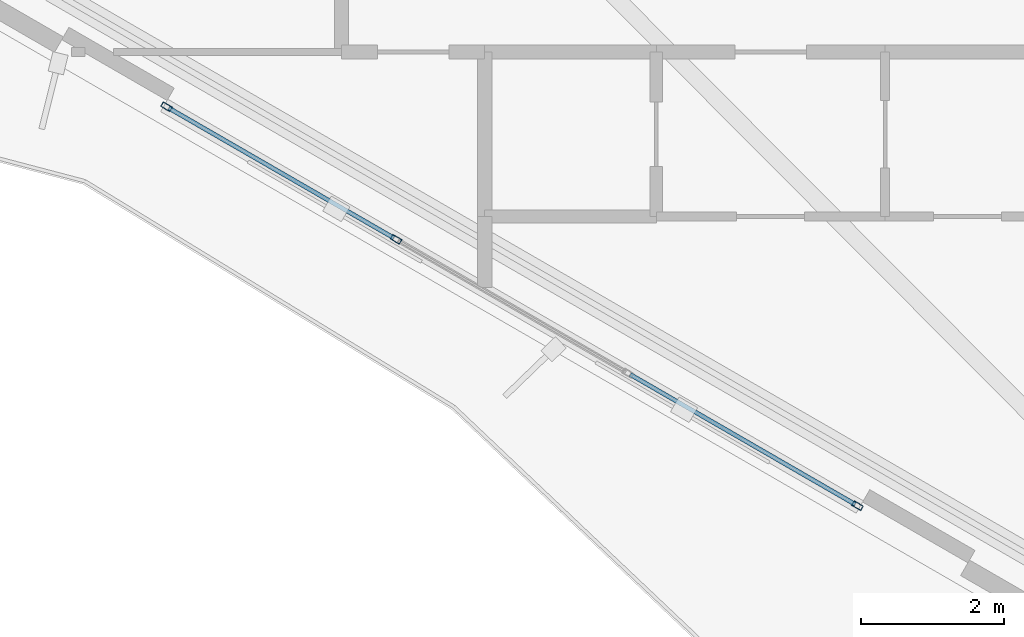
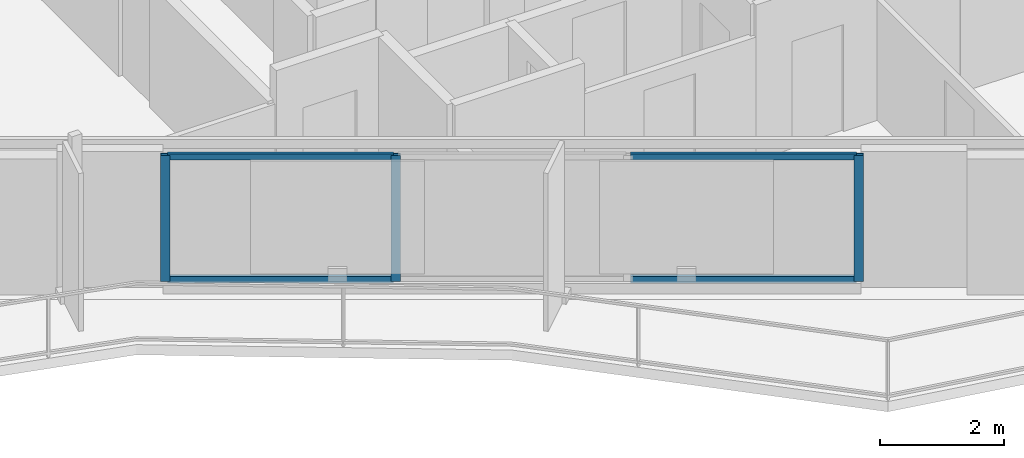
# One storey, part 2 of 22: 7 members, 1 element without a shape of its own.
"""IFC4 building model written with IfcOpenShell, lengths in metres."""

from ifc_helpers import new_model, si_unit, direction, frame, origin, origin_2d, place, context, subcontext, project, spatial, hollow_rectangle, extrude, material, layer, layer_set, material_profile, profile_set, type_object, element, aggregate, save


model = new_model("IFC4")

# Units and contexts
model_context = context("Model", 3, precision=1e-05, world=origin(), true_north=direction((0.0, 1.0)))
body_context = subcontext(model_context, "Body", "Model", "MODEL_VIEW")
ifc_project = project(units=[si_unit("LENGTHUNIT", "METRE"), si_unit("AREAUNIT", "SQUARE_METRE"), si_unit("VOLUMEUNIT", "CUBIC_METRE"), si_unit("PLANEANGLEUNIT", "RADIAN"), si_unit("MASSUNIT", "GRAM", prefix="KILO")], contexts=[model_context])

# Site, building, storey
site_placement = place(None, origin())
site = spatial("IfcSite", under=ifc_project, at=site_placement, CompositionType="ELEMENT")
building_placement = place(site_placement, origin())
building = spatial("IfcBuilding", under=site, at=building_placement, Name="Mersakhor Tower and Convention Hall", CompositionType="ELEMENT")
storey_placement = place(building_placement, frame((0.0, 0.0, 109.800048828125)))
storey = spatial("IfcBuildingStorey", under=building, at=storey_placement, Name="L30", CompositionType="ELEMENT", Elevation=109.800048828125)

# Curtain wall, members
ifc_material_1 = material(Name="Dark solar low-E aluminium curtain wall", Category="aluminium")
ifc_layer = layer(ifc_material_1, 0.159912109375)
ifc_layer_set = layer_set([ifc_layer], Name="Dark solar low-E aluminium curtain wall")
curtain_wall_type = type_object("IfcCurtainWallType", Name="CW-SYS-01", PredefinedType="USERDEFINED", material=ifc_layer_set)
curtain_wall_placement = place(storey_placement, origin())
curtain_wall = element("IfcCurtainWall", 1, at=curtain_wall_placement, inside=storey, type_object=curtain_wall_type, Name="L30 Dark-Glass Curtain Wall F3-B2", ObjectType="CURTAIN WALL", PredefinedType="USERDEFINED")
ifc_material_2 = material(Name="Anodised aluminium EN AW-6063 T6", Category="aluminium")
ifc_material_profile_1 = material_profile(ifc_material_2, hollow_rectangle(XDim=0.074951171875, YDim=0.14990234375, WallThickness=0.00634765625, at=origin_2d()), Name="RHS 150x75x6.3")
ifc_profile_set_1 = profile_set([ifc_material_profile_1], Name="Anodised aluminium EN AW-6063 T6")
member_type_1 = type_object("IfcMemberType", Name="CWM-150x75", PredefinedType="MULLION", material=ifc_profile_set_1)
member_1_placement = place(storey_placement, frame((26.812744140625, 11.80712890625, 0.199951171875), z_axis=(0.0, 0.0, 1.0), x_axis=(-0.499997904985, -0.866026613339, 0.0)))
member_1 = element("IfcMember", 2, at=member_1_placement, type_object=member_type_1, Name="CW-01 mullion 1", PredefinedType="MULLION", context=body_context, shape_type="SweptSolid", body=[
    extrude(hollow_rectangle(XDim=0.074951171875, YDim=0.14990234375, WallThickness=0.00634765625, at=origin_2d()), origin(), (0.0, 0.0, 1.0), 2.469970703125),
])
member_2_placement = place(storey_placement, frame((20.36181640625, 15.531494140625, 0.199951171875), z_axis=(0.0, 0.0, 1.0), x_axis=(-0.499997904985, -0.866026613339, 0.0)))
member_2 = element("IfcMember", 3, at=member_2_placement, type_object=member_type_1, Name="CW-01 mullion 3", PredefinedType="MULLION", context=body_context, shape_type="SweptSolid", body=[
    extrude(hollow_rectangle(XDim=0.074951171875, YDim=0.14990234375, WallThickness=0.00634765625, at=origin_2d()), origin(), (0.0, 0.0, 1.0), 2.469970703125),
])
member_3_placement = place(storey_placement, frame((17.152587890625, 17.38427734375, 0.199951171875), z_axis=(0.0, 0.0, 1.0), x_axis=(-0.499997904985, -0.866026613339, 0.0)))
member_3 = element("IfcMember", 4, at=member_3_placement, type_object=member_type_1, Name="CW-01 mullion 4", PredefinedType="MULLION", context=body_context, shape_type="SweptSolid", body=[
    extrude(hollow_rectangle(XDim=0.074951171875, YDim=0.14990234375, WallThickness=0.00634765625, at=origin_2d()), origin(), (0.0, 0.0, 1.0), 2.469970703125),
])
ifc_material_3 = material(Name="Anodised aluminium EN AW-6063 T6", Category="aluminium")
ifc_material_profile_2 = material_profile(ifc_material_3, hollow_rectangle(XDim=0.06005859375, YDim=0.1201171875, WallThickness=0.0048828125, at=origin_2d()), Name="RHS 120x60x5")
ifc_profile_set_2 = profile_set([ifc_material_profile_2], Name="Anodised aluminium EN AW-6063 T6")
member_type_2 = type_object("IfcMemberType", Name="CWT-120x60", PredefinedType="USERDEFINED", material=ifc_profile_set_2)
member_4_placement = place(storey_placement, frame((26.7802734375, 11.82568359375, 0.22998046875), z_axis=(-0.866016497289, 0.500015426185, 0.0), x_axis=(-0.500015426185, -0.866016497289, 0.0)))
member_4 = element("IfcMember", 5, at=member_4_placement, type_object=member_type_2, Name="CW-01 transom 1.1", ObjectType="TRANSOM", PredefinedType="USERDEFINED", context=body_context, shape_type="SweptSolid", body=[
    extrude(hollow_rectangle(XDim=0.06005859375, YDim=0.1201171875, WallThickness=0.0048828125, at=origin_2d()), origin(), (0.0, 0.0, 1.0), 3.630859375),
])
member_5_placement = place(storey_placement, frame((26.7802734375, 11.82568359375, 2.639892578125), z_axis=(-0.866016497289, 0.500015426185, 0.0), x_axis=(-0.500015426185, -0.866016497289, 0.0)))
member_5 = element("IfcMember", 6, at=member_5_placement, type_object=member_type_2, Name="CW-01 transom 1.2", ObjectType="TRANSOM", PredefinedType="USERDEFINED", context=body_context, shape_type="SweptSolid", body=[
    extrude(hollow_rectangle(XDim=0.06005859375, YDim=0.1201171875, WallThickness=0.0048828125, at=origin_2d()), origin(), (0.0, 0.0, 1.0), 3.630859375),
])
member_6_placement = place(storey_placement, frame((20.329345703125, 15.55029296875, 0.22998046875), z_axis=(-0.866045614266, 0.499964992784, 0.0), x_axis=(-0.499964992784, -0.866045614266, 0.0)))
member_6 = element("IfcMember", 7, at=member_6_placement, type_object=member_type_2, Name="CW-01 transom 3.1", ObjectType="TRANSOM", PredefinedType="USERDEFINED", context=body_context, shape_type="SweptSolid", body=[
    extrude(hollow_rectangle(XDim=0.06005859375, YDim=0.1201171875, WallThickness=0.0048828125, at=origin_2d()), origin(), (0.0, 0.0, 1.0), 3.630615234375),
])
member_7_placement = place(storey_placement, frame((20.329345703125, 15.55029296875, 2.639892578125), z_axis=(-0.866045614266, 0.499964992784, 0.0), x_axis=(-0.499964992784, -0.866045614266, 0.0)))
member_7 = element("IfcMember", 8, at=member_7_placement, type_object=member_type_2, Name="CW-01 transom 3.2", ObjectType="TRANSOM", PredefinedType="USERDEFINED", context=body_context, shape_type="SweptSolid", body=[
    extrude(hollow_rectangle(XDim=0.06005859375, YDim=0.1201171875, WallThickness=0.0048828125, at=origin_2d()), origin(), (0.0, 0.0, 1.0), 3.630615234375),
])
aggregate(curtain_wall, [member_1, member_2, member_3, member_4, member_5, member_6, member_7])

save(model, "model.ifc")
